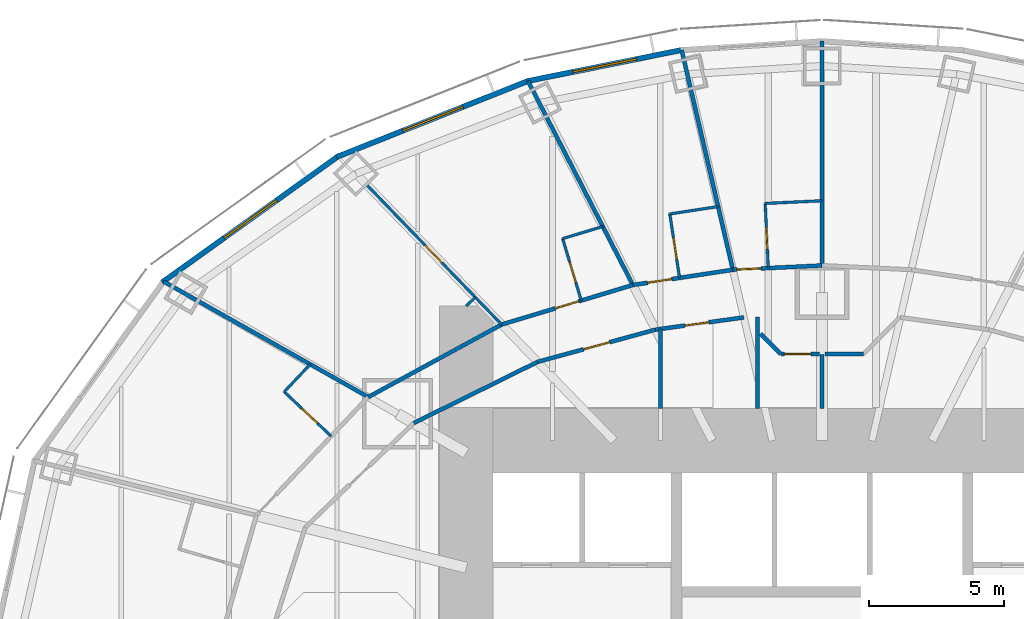
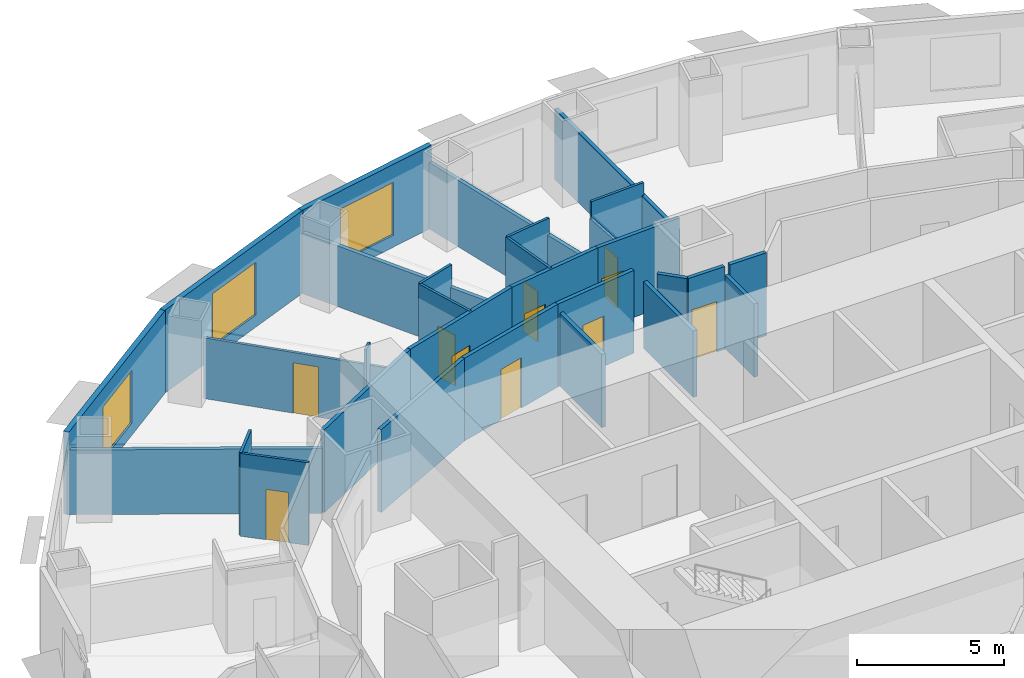
# One storey, part 9 of 15: 30 walls, 11 doors, 3 windows, 14 openings.
"""IFC4 building model written with IfcOpenShell, lengths in metres."""

from ifc_helpers import new_model, si_unit, direction, frame, frame_2d, origin, place, context, subcontext, project, spatial, rectangle, extrude, material, layer, layer_set, type_object, element, fill, save


model = new_model("IFC4")

# Units and contexts
model_context = context("Model", 3, precision=1e-05, world=origin(), true_north=direction((0.0, 1.0)))
body_context = subcontext(model_context, "Body", "Model", "MODEL_VIEW")
ifc_project = project(units=[si_unit("LENGTHUNIT", "METRE"), si_unit("AREAUNIT", "SQUARE_METRE"), si_unit("VOLUMEUNIT", "CUBIC_METRE"), si_unit("PLANEANGLEUNIT", "RADIAN"), si_unit("MASSUNIT", "GRAM", prefix="KILO")], contexts=[model_context])

# Site, building, storey
site_placement = place(None, origin())
site = spatial("IfcSite", under=ifc_project, at=site_placement, CompositionType="ELEMENT")
building_placement = place(site_placement, origin())
building = spatial("IfcBuilding", under=site, at=building_placement, Name="Lantaw Convention Tower", CompositionType="ELEMENT")
storey_placement = place(building_placement, frame((0.0, 0.0, 44.199951171875)))
storey = spatial("IfcBuildingStorey", under=building, at=storey_placement, Name="L08", CompositionType="ELEMENT", Elevation=44.199951171875)

# Walls
ifc_material_1 = material(Name="Gypsum board on steel studs", Category="steel")
ifc_layer_1 = layer(ifc_material_1, 0.14990234375)
ifc_layer_set_1 = layer_set([ifc_layer_1], Name="Back of house wall 150")
wall_type_1 = type_object("IfcWallType", Name="Back of house wall 150", PredefinedType="PARTITIONING", material=ifc_layer_set_1)
wall_1_placement = place(storey_placement, frame((0.0, 9.199951171875, 0.0), z_axis=(0.0, 0.0, 1.0), x_axis=(0.0, 1.0, 0.0)))
element("IfcWall", 1, at=wall_1_placement, inside=storey, type_object=wall_type_1, Name="Back of house wall 150", PredefinedType="PARTITIONING", context=body_context, shape_type="SweptSolid", body=[
    extrude(rectangle(XDim=2.005126953125, YDim=0.14990234375, at=frame_2d((1.00244140625, 0.0))), origin(), (0.0, 0.0, 1.0), 3.043701171875),
])
wall_2_placement = place(storey_placement, frame((-1.5322265625, 11.215087890625, 0.0), z_axis=(0.0, 0.0, 1.0), x_axis=(-0.707106781187, 0.707106781187, 0.0)))
element("IfcWall", 2, at=wall_2_placement, inside=storey, type_object=wall_type_1, Name="Back of house wall 150", PredefinedType="PARTITIONING", context=body_context, shape_type="SweptSolid", body=[
    extrude(rectangle(XDim=1.064453125, YDim=0.14990234375, at=frame_2d((0.5322265625, 0.0))), origin(), (0.0, 0.0, 1.0), 3.449951171875),
])

# Wall, opening, door
ifc_material_2 = material(Name="Moisture resistant gypsum board on steel studs", Category="steel")
ifc_layer_2 = layer(ifc_material_2, 0.10009765625)
ifc_layer_set_2 = layer_set([ifc_layer_2], Name="Bathroom wall 100")
wall_type_2 = type_object("IfcWallType", Name="Bathroom wall 100", PredefinedType="PARTITIONING", material=ifc_layer_set_2)
wall_3_placement = place(storey_placement, frame((-1.997802734375, 14.40478515625, 0.0), z_axis=(0.0, 0.0, 1.0), x_axis=(-0.047608648396, 0.998866065395, 0.0)))
wall_3 = element("IfcWall", 3, at=wall_3_placement, inside=storey, type_object=wall_type_2, Name="Bathroom wall 100", PredefinedType="PARTITIONING", context=body_context, shape_type="SweptSolid", body=[
    extrude(rectangle(XDim=2.39990234375, YDim=0.10009765625, at=frame_2d((1.199951171875, 0.0))), origin(), (0.0, 0.0, 1.0), 2.7490234375),
])
opening_1_placement = place(wall_3_placement, frame((0.699951171875, 0.0, 0.0)))
opening_1 = element("IfcOpeningElement", 4, at=opening_1_placement, cuts=wall_3, Name="Opening L08.32", PredefinedType="OPENING", context=body_context, shape_type="SweptSolid", body=[
    extrude(rectangle(XDim=0.800048828125, YDim=2.10009765625, at=frame_2d((0.39990234375, 1.050048828125))), frame((0.0, 0.06005859375, 0.0), z_axis=(0.0, -1.0, 0.0), x_axis=(1.0, 0.0, 0.0)), (0.0, 0.0, 1.0), 0.1201171875),
])
ifc_material_3 = material(Name="Timber", Category="wood")
door_type_1 = type_object("IfcDoorType", Name="Bathroom door 800", OperationType="SINGLE_SWING_LEFT", PredefinedType="DOOR", material=ifc_material_3)
door_1_placement = place(opening_1_placement, origin())
door_1 = element("IfcDoor", 5, at=door_1_placement, inside=storey, type_object=door_type_1, Name="Bathroom door", OperationType="SINGLE_SWING_LEFT", OverallHeight=2.10009765625, OverallWidth=0.800048828125, PredefinedType="DOOR", context=body_context, shape_type="SweptSolid", body=[
    extrude(rectangle(XDim=0.800048828125, YDim=2.10009765625, at=frame_2d((0.39990234375, 1.050048828125))), frame((0.0, 0.02490234375, 0.0), z_axis=(0.0, -1.0, 0.0), x_axis=(1.0, 0.0, 0.0)), (0.0, 0.0, 1.0), 0.050048828125),
])
fill(opening_1, door_1)

# Wall
wall_4_placement = place(storey_placement, frame((-2.112060546875, 16.802001953125, 0.0), z_axis=(0.0, 0.0, 1.0), x_axis=(0.998862383453, 0.047685835668, 0.0)))
element("IfcWall", 6, at=wall_4_placement, inside=storey, type_object=wall_type_2, Name="Bathroom wall 100", PredefinedType="PARTITIONING", context=body_context, shape_type="SweptSolid", body=[
    extrude(rectangle(XDim=2.114501953125, YDim=0.10009765625, at=frame_2d((1.05712890625, 0.0))), origin(), (0.0, 0.0, 1.0), 3.449951171875),
])

# Wall, opening, door
wall_5_placement = place(storey_placement, frame((-5.288330078125, 14.04052734375, 0.0), z_axis=(0.0, 0.0, 1.0), x_axis=(-0.150757550564, 0.988570766788, 0.0)))
wall_5 = element("IfcWall", 7, at=wall_5_placement, inside=storey, type_object=wall_type_2, Name="Bathroom wall 100", PredefinedType="PARTITIONING", context=body_context, shape_type="SweptSolid", body=[
    extrude(rectangle(XDim=2.39990234375, YDim=0.10009765625, at=frame_2d((1.199951171875, 0.0))), origin(), (0.0, 0.0, 1.0), 3.449951171875),
])
opening_2_placement = place(wall_5_placement, frame((0.699951171875, 0.0, 0.0)))
opening_2 = element("IfcOpeningElement", 8, at=opening_2_placement, cuts=wall_5, Name="Opening L08.34", PredefinedType="OPENING", context=body_context, shape_type="SweptSolid", body=[
    extrude(rectangle(XDim=0.800048828125, YDim=2.10009765625, at=frame_2d((0.39990234375, 1.050048828125))), frame((0.0, 0.06005859375, 0.0), z_axis=(0.0, -1.0, 0.0), x_axis=(1.0, 0.0, 0.0)), (0.0, 0.0, 1.0), 0.1201171875),
])
door_2_placement = place(opening_2_placement, origin())
door_2 = element("IfcDoor", 9, at=door_2_placement, inside=storey, type_object=door_type_1, Name="Bathroom door", OperationType="SINGLE_SWING_LEFT", OverallHeight=2.10009765625, OverallWidth=0.800048828125, PredefinedType="DOOR", context=body_context, shape_type="SweptSolid", body=[
    extrude(rectangle(XDim=0.800048828125, YDim=2.10009765625, at=frame_2d((0.39990234375, 1.050048828125))), frame((0.0, 0.02490234375, 0.0), z_axis=(0.0, -1.0, 0.0), x_axis=(1.0, 0.0, 0.0)), (0.0, 0.0, 1.0), 0.050048828125),
])
fill(opening_2, door_2)

# Wall
wall_6_placement = place(storey_placement, frame((-5.650146484375, 16.4130859375, 0.0), z_axis=(0.0, 0.0, 1.0), x_axis=(0.988567991054, 0.150775750911, 0.0)))
element("IfcWall", 10, at=wall_6_placement, inside=storey, type_object=wall_type_2, Name="Bathroom wall 100", PredefinedType="PARTITIONING", context=body_context, shape_type="SweptSolid", body=[
    extrude(rectangle(XDim=1.818359375, YDim=0.10009765625, at=frame_2d((0.9091796875, 0.0))), origin(), (0.0, 0.0, 1.0), 3.449951171875),
])

# Wall, opening, door
wall_7_placement = place(storey_placement, frame((-8.9345703125, 13.199951171875, 0.0), z_axis=(0.0, 0.0, 1.0), x_axis=(-0.288197066254, 0.957571120598, 0.0)))
wall_7 = element("IfcWall", 11, at=wall_7_placement, inside=storey, type_object=wall_type_2, Name="Bathroom wall 100", PredefinedType="PARTITIONING", context=body_context, shape_type="SweptSolid", body=[
    extrude(rectangle(XDim=2.39990234375, YDim=0.10009765625, at=frame_2d((1.199951171875, 0.0))), origin(), (0.0, 0.0, 1.0), 3.449951171875),
])
opening_3_placement = place(wall_7_placement, frame((0.699951171875, 0.0, 0.0)))
opening_3 = element("IfcOpeningElement", 12, at=opening_3_placement, cuts=wall_7, Name="Opening L08.36", PredefinedType="OPENING", context=body_context, shape_type="SweptSolid", body=[
    extrude(rectangle(XDim=0.800048828125, YDim=2.10009765625, at=frame_2d((0.39990234375, 1.050048828125))), frame((0.0, 0.06005859375, 0.0), z_axis=(0.0, -1.0, 0.0), x_axis=(1.0, 0.0, 0.0)), (0.0, 0.0, 1.0), 0.1201171875),
])
door_3_placement = place(opening_3_placement, origin())
door_3 = element("IfcDoor", 13, at=door_3_placement, inside=storey, type_object=door_type_1, Name="Bathroom door", OperationType="SINGLE_SWING_LEFT", OverallHeight=2.10009765625, OverallWidth=0.800048828125, PredefinedType="DOOR", context=body_context, shape_type="SweptSolid", body=[
    extrude(rectangle(XDim=0.800048828125, YDim=2.10009765625, at=frame_2d((0.39990234375, 1.050048828125))), frame((0.0, 0.02490234375, 0.0), z_axis=(0.0, -1.0, 0.0), x_axis=(1.0, 0.0, 0.0)), (0.0, 0.0, 1.0), 0.050048828125),
])
fill(opening_3, door_3)

# Wall
wall_8_placement = place(storey_placement, frame((-9.626220703125, 15.498046875, 0.0), z_axis=(0.0, 0.0, 1.0), x_axis=(0.957551231109, 0.288263143328, 0.0)))
element("IfcWall", 14, at=wall_8_placement, inside=storey, type_object=wall_type_2, Name="Bathroom wall 100", PredefinedType="PARTITIONING", context=body_context, shape_type="SweptSolid", body=[
    extrude(rectangle(XDim=1.56591796875, YDim=0.10009765625, at=frame_2d((0.782958984375, 0.0))), origin(), (0.0, 0.0, 1.0), 3.449951171875),
])

# Wall, opening, door
wall_9_placement = place(storey_placement, frame((-18.209228515625, 8.166748046875, 0.0), z_axis=(0.0, 0.0, 1.0), x_axis=(-0.726567238928, 0.687095369885, 0.0)))
wall_9 = element("IfcWall", 15, at=wall_9_placement, inside=storey, type_object=wall_type_2, Name="Bathroom wall 100", PredefinedType="PARTITIONING", context=body_context, shape_type="SweptSolid", body=[
    extrude(rectangle(XDim=2.39990234375, YDim=0.10009765625, at=frame_2d((1.199951171875, 0.0))), origin(), (0.0, 0.0, 1.0), 3.449951171875),
])
opening_4_placement = place(wall_9_placement, frame((0.699951171875, 0.0, 0.0)))
opening_4 = element("IfcOpeningElement", 16, at=opening_4_placement, cuts=wall_9, Name="Opening L08.39", PredefinedType="OPENING", context=body_context, shape_type="SweptSolid", body=[
    extrude(rectangle(XDim=0.800048828125, YDim=2.10009765625, at=frame_2d((0.39990234375, 1.050048828125))), frame((0.0, 0.06005859375, 0.0), z_axis=(0.0, -1.0, 0.0), x_axis=(1.0, 0.0, 0.0)), (0.0, 0.0, 1.0), 0.1201171875),
])
door_4_placement = place(opening_4_placement, origin())
door_4 = element("IfcDoor", 17, at=door_4_placement, inside=storey, type_object=door_type_1, Name="Bathroom door", OperationType="SINGLE_SWING_LEFT", OverallHeight=2.10009765625, OverallWidth=0.800048828125, PredefinedType="DOOR", context=body_context, shape_type="SweptSolid", body=[
    extrude(rectangle(XDim=0.800048828125, YDim=2.10009765625, at=frame_2d((0.39990234375, 1.050048828125))), frame((0.0, 0.02490234375, 0.0), z_axis=(0.0, -1.0, 0.0), x_axis=(1.0, 0.0, 0.0)), (0.0, 0.0, 1.0), 0.050048828125),
])
fill(opening_4, door_4)

# Wall
wall_10_placement = place(storey_placement, frame((-19.952880859375, 9.815673828125, 0.0), z_axis=(0.0, 0.0, 1.0), x_axis=(0.687017997787, 0.726640399866, 0.0)))
element("IfcWall", 18, at=wall_10_placement, inside=storey, type_object=wall_type_2, Name="Bathroom wall 100", PredefinedType="PARTITIONING", context=body_context, shape_type="SweptSolid", body=[
    extrude(rectangle(XDim=1.417236328125, YDim=0.10009765625, at=frame_2d((0.70849609375, 0.0))), origin(), (0.0, 0.0, 1.0), 3.449951171875),
])

# Wall, opening, door
ifc_material_4 = material(Name="Gypsum board on steel studs, fire rated", Category="steel")
ifc_layer_3 = layer(ifc_material_4, 0.14990234375)
ifc_layer_set_3 = layer_set([ifc_layer_3], Name="Corridor wall 150 EI 60")
wall_type_3 = type_object("IfcWallType", Name="Corridor wall 150 EI 60", PredefinedType="PARTITIONING", material=ifc_layer_set_3)
wall_11_placement = place(storey_placement, frame((0.0, 14.5, 0.0), z_axis=(0.0, 0.0, 1.0), x_axis=(-0.998863968075, -0.047652631422, 0.0)))
wall_11 = element("IfcWall", 19, at=wall_11_placement, inside=storey, type_object=wall_type_3, Name="Corridor wall 150", PredefinedType="PARTITIONING", context=body_context, shape_type="SweptSolid", body=[
    extrude(rectangle(XDim=3.314697265625, YDim=0.14990234375, at=frame_2d((1.6572265625, 0.0))), origin(), (0.0, 0.0, 1.0), 3.449951171875),
])
opening_5_placement = place(wall_11_placement, frame((2.264892578125, 0.0, 0.0)))
opening_5 = element("IfcOpeningElement", 20, at=opening_5_placement, cuts=wall_11, Name="Opening L08.33", PredefinedType="OPENING", context=body_context, shape_type="SweptSolid", body=[
    extrude(rectangle(XDim=0.89990234375, YDim=2.10009765625, at=frame_2d((0.449951171875, 1.050048828125))), frame((0.0, 0.0849609375, 0.0), z_axis=(0.0, -1.0, 0.0), x_axis=(1.0, 0.0, 0.0)), (0.0, 0.0, 1.0), 0.169921875),
])
ifc_material_5 = material(Name="Steel, fire rated", Category="steel")
door_type_2 = type_object("IfcDoorType", Name="Guest room entrance door FD30S", OperationType="SINGLE_SWING_LEFT", PredefinedType="DOOR", material=ifc_material_5)
door_5_placement = place(opening_5_placement, origin())
door_5 = element("IfcDoor", 21, at=door_5_placement, inside=storey, type_object=door_type_2, Name="Guest room entrance door", OperationType="SINGLE_SWING_LEFT", OverallHeight=2.10009765625, OverallWidth=0.89990234375, PredefinedType="DOOR", context=body_context, shape_type="SweptSolid", body=[
    extrude(rectangle(XDim=0.89990234375, YDim=2.10009765625, at=frame_2d((0.449951171875, 1.050048828125))), frame((0.0, 0.02490234375, 0.0), z_axis=(0.0, -1.0, 0.0), x_axis=(1.0, 0.0, 0.0)), (0.0, 0.0, 1.0), 0.050048828125),
])
fill(opening_5, door_5)

wall_12_placement = place(storey_placement, frame((-3.31103515625, 14.342041015625, 0.0), z_axis=(0.0, 0.0, 1.0), x_axis=(-0.988564270062, -0.150800145746, 0.0)))
wall_12 = element("IfcWall", 22, at=wall_12_placement, inside=storey, type_object=wall_type_3, Name="Corridor wall 150", PredefinedType="PARTITIONING", context=body_context, shape_type="SweptSolid", body=[
    extrude(rectangle(XDim=3.751220703125, YDim=0.14990234375, at=frame_2d((1.87548828125, 0.0))), origin(), (0.0, 0.0, 1.0), 3.449951171875),
])
opening_6_placement = place(wall_12_placement, frame((2.30029296875, 0.0, 0.0)))
opening_6 = element("IfcOpeningElement", 23, at=opening_6_placement, cuts=wall_12, Name="Opening L08.35", PredefinedType="OPENING", context=body_context, shape_type="SweptSolid", body=[
    extrude(rectangle(XDim=0.89990234375, YDim=2.10009765625, at=frame_2d((0.449951171875, 1.050048828125))), frame((0.0, 0.0849609375, 0.0), z_axis=(0.0, -1.0, 0.0), x_axis=(1.0, 0.0, 0.0)), (0.0, 0.0, 1.0), 0.169921875),
])
door_6_placement = place(opening_6_placement, origin())
door_6 = element("IfcDoor", 24, at=door_6_placement, inside=storey, type_object=door_type_2, Name="Guest room entrance door", OperationType="SINGLE_SWING_LEFT", OverallHeight=2.10009765625, OverallWidth=0.89990234375, PredefinedType="DOOR", context=body_context, shape_type="SweptSolid", body=[
    extrude(rectangle(XDim=0.89990234375, YDim=2.10009765625, at=frame_2d((0.449951171875, 1.050048828125))), frame((0.0, 0.02490234375, 0.0), z_axis=(0.0, -1.0, 0.0), x_axis=(1.0, 0.0, 0.0)), (0.0, 0.0, 1.0), 0.050048828125),
])
fill(opening_6, door_6)

wall_13_placement = place(storey_placement, frame((-7.019287109375, 13.7763671875, 0.0), z_axis=(0.0, 0.0, 1.0), x_axis=(-0.957564241242, -0.288219922793, 0.0)))
wall_13 = element("IfcWall", 25, at=wall_13_placement, inside=storey, type_object=wall_type_3, Name="Corridor wall 150", PredefinedType="PARTITIONING", context=body_context, shape_type="SweptSolid", body=[
    extrude(rectangle(XDim=5.0849609375, YDim=0.14990234375, at=frame_2d((2.54248046875, 0.0))), origin(), (0.0, 0.0, 1.0), 3.449951171875),
])
opening_7_placement = place(wall_13_placement, frame((2.10009765625, 0.0, 0.0)))
opening_7 = element("IfcOpeningElement", 26, at=opening_7_placement, cuts=wall_13, Name="Opening L08.38", PredefinedType="OPENING", context=body_context, shape_type="SweptSolid", body=[
    extrude(rectangle(XDim=0.89990234375, YDim=2.10009765625, at=frame_2d((0.449951171875, 1.050048828125))), frame((0.0, 0.0849609375, 0.0), z_axis=(0.0, -1.0, 0.0), x_axis=(1.0, 0.0, 0.0)), (0.0, 0.0, 1.0), 0.169921875),
])
door_7_placement = place(opening_7_placement, origin())
door_7 = element("IfcDoor", 27, at=door_7_placement, inside=storey, type_object=door_type_2, Name="Suite entrance door", OperationType="SINGLE_SWING_LEFT", OverallHeight=2.10009765625, OverallWidth=0.89990234375, PredefinedType="DOOR", context=body_context, shape_type="SweptSolid", body=[
    extrude(rectangle(XDim=0.89990234375, YDim=2.10009765625, at=frame_2d((0.449951171875, 1.050048828125))), frame((0.0, 0.02490234375, 0.0), z_axis=(0.0, -1.0, 0.0), x_axis=(1.0, 0.0, 0.0)), (0.0, 0.0, 1.0), 0.050048828125),
])
fill(opening_7, door_7)

# Wall
wall_14_placement = place(storey_placement, frame((-11.888427734375, 12.310791015625, 0.0), z_axis=(0.0, 0.0, 1.0), x_axis=(-0.878450059298, -0.477834169267, 0.0)))
element("IfcWall", 28, at=wall_14_placement, inside=storey, type_object=wall_type_3, Name="Corridor wall 150", PredefinedType="PARTITIONING", context=body_context, shape_type="SweptSolid", body=[
    extrude(rectangle(XDim=5.630859375, YDim=0.14990234375, at=frame_2d((2.8154296875, 0.0))), origin(), (0.0, 0.0, 1.0), 3.449951171875),
])

# Wall, opening, door
wall_15_placement = place(storey_placement, frame((-2.903076171875, 12.574462890625, 0.0), z_axis=(0.0, 0.0, 1.0), x_axis=(-0.990563451353, -0.137054911782, 0.0)))
wall_15 = element("IfcWall", 29, at=wall_15_placement, inside=storey, type_object=wall_type_3, Name="Corridor wall 150", PredefinedType="PARTITIONING", context=body_context, shape_type="SweptSolid", body=[
    extrude(rectangle(XDim=3.304443359375, YDim=0.14990234375, at=frame_2d((1.65234375, 0.0))), origin(), (0.0, 0.0, 1.0), 3.449951171875),
])
opening_8_placement = place(wall_15_placement, frame((1.308349609375, 0.0, 0.0)))
opening_8 = element("IfcOpeningElement", 30, at=opening_8_placement, cuts=wall_15, Name="Opening L08.19", PredefinedType="OPENING", context=body_context, shape_type="SweptSolid", body=[
    extrude(rectangle(XDim=0.89990234375, YDim=2.10009765625, at=frame_2d((0.449951171875, 1.050048828125))), frame((0.0, 0.0849609375, 0.0), z_axis=(0.0, -1.0, 0.0), x_axis=(1.0, 0.0, 0.0)), (0.0, 0.0, 1.0), 0.169921875),
])
door_type_3 = type_object("IfcDoorType", Name="Service door 900 FD30", OperationType="SINGLE_SWING_LEFT", PredefinedType="DOOR", material=ifc_material_5)
door_8_placement = place(opening_8_placement, origin())
door_8 = element("IfcDoor", 31, at=door_8_placement, inside=storey, type_object=door_type_3, Name="Housekeeping pantry door", OperationType="SINGLE_SWING_LEFT", OverallHeight=2.10009765625, OverallWidth=0.89990234375, PredefinedType="DOOR", context=body_context, shape_type="SweptSolid", body=[
    extrude(rectangle(XDim=0.89990234375, YDim=2.10009765625, at=frame_2d((0.449951171875, 1.050048828125))), frame((0.0, 0.02490234375, 0.0), z_axis=(0.0, -1.0, 0.0), x_axis=(1.0, 0.0, 0.0)), (0.0, 0.0, 1.0), 0.050048828125),
])
fill(opening_8, door_8)

wall_16_placement = place(storey_placement, frame((-6.17626953125, 12.12158203125, 0.0), z_axis=(0.0, 0.0, 1.0), x_axis=(-0.964644466646, -0.263554648923, 0.0)))
wall_16 = element("IfcWall", 32, at=wall_16_placement, inside=storey, type_object=wall_type_3, Name="Corridor wall 150", PredefinedType="PARTITIONING", context=body_context, shape_type="SweptSolid", body=[
    extrude(rectangle(XDim=4.535400390625, YDim=0.14990234375, at=frame_2d((2.267578125, 0.0))), origin(), (0.0, 0.0, 1.0), 3.449951171875),
])
opening_9_placement = place(wall_16_placement, frame((1.767578125, 0.0, 0.0)))
opening_9 = element("IfcOpeningElement", 33, at=opening_9_placement, cuts=wall_16, Name="Opening L08.20", PredefinedType="OPENING", context=body_context, shape_type="SweptSolid", body=[
    extrude(rectangle(XDim=1.0, YDim=2.10009765625, at=frame_2d((0.5, 1.050048828125))), frame((0.0, 0.0849609375, 0.0), z_axis=(0.0, -1.0, 0.0), x_axis=(1.0, 0.0, 0.0)), (0.0, 0.0, 1.0), 0.169921875),
])
door_type_4 = type_object("IfcDoorType", Name="Service door 1000 FD30", OperationType="SINGLE_SWING_LEFT", PredefinedType="DOOR", material=ifc_material_5)
door_9_placement = place(opening_9_placement, origin())
door_9 = element("IfcDoor", 34, at=door_9_placement, inside=storey, type_object=door_type_4, Name="Housekeeping room door", OperationType="SINGLE_SWING_LEFT", OverallHeight=2.10009765625, OverallWidth=1.0, PredefinedType="DOOR", context=body_context, shape_type="SweptSolid", body=[
    extrude(rectangle(XDim=1.0, YDim=2.10009765625, at=frame_2d((0.5, 1.050048828125))), frame((0.0, 0.02490234375, 0.0), z_axis=(0.0, -1.0, 0.0), x_axis=(1.0, 0.0, 0.0)), (0.0, 0.0, 1.0), 0.050048828125),
])
fill(opening_9, door_9)

# Walls
wall_17_placement = place(storey_placement, frame((-10.55126953125, 10.92626953125, 0.0), z_axis=(0.0, 0.0, 1.0), x_axis=(-0.89656943448, -0.442903205177, 0.0)))
element("IfcWall", 35, at=wall_17_placement, inside=storey, type_object=wall_type_3, Name="Corridor wall 150", PredefinedType="PARTITIONING", context=body_context, shape_type="SweptSolid", body=[
    extrude(rectangle(XDim=5.12646484375, YDim=0.14990234375, at=frame_2d((2.563232421875, 0.0))), origin(), (0.0, 0.0, 1.0), 3.449951171875),
])
wall_18_placement = place(storey_placement, frame((1.5322265625, 11.215087890625, 0.0), z_axis=(0.0, 0.0, 1.0), x_axis=(-1.0, 0.0, 0.0)))
element("IfcWall", 36, at=wall_18_placement, inside=storey, type_object=wall_type_3, Name="Corridor wall 150", PredefinedType="PARTITIONING", context=body_context, shape_type="SweptSolid", body=[
    extrude(rectangle(XDim=1.428955078125, YDim=0.14990234375, at=frame_2d((0.71435546875, 0.0))), origin(), (0.0, 0.0, 1.0), 3.449951171875),
])

# Wall, opening, door
wall_19_placement = place(storey_placement, frame((-0.103271484375, 11.215087890625, 0.0), z_axis=(0.0, 0.0, 1.0), x_axis=(-1.0, 0.0, 0.0)))
wall_19 = element("IfcWall", 37, at=wall_19_placement, inside=storey, type_object=wall_type_3, Name="Corridor wall 150", PredefinedType="PARTITIONING", context=body_context, shape_type="SweptSolid", body=[
    extrude(rectangle(XDim=1.428955078125, YDim=0.14990234375, at=frame_2d((0.71435546875, 0.0))), origin(), (0.0, 0.0, 1.0), 3.449951171875),
])
opening_10_placement = place(wall_19_placement, frame((0.300048828125, 0.0, 0.0)))
opening_10 = element("IfcOpeningElement", 38, at=opening_10_placement, cuts=wall_19, Name="Opening L08.18", PredefinedType="OPENING", context=body_context, shape_type="SweptSolid", body=[
    extrude(rectangle(XDim=1.0, YDim=2.10009765625, at=frame_2d((0.5, 1.050048828125))), frame((0.0, 0.0849609375, 0.0), z_axis=(0.0, -1.0, 0.0), x_axis=(1.0, 0.0, 0.0)), (0.0, 0.0, 1.0), 0.169921875),
])
door_type_5 = type_object("IfcDoorType", Name="Accessible WC door 1000 FD30", OperationType="SINGLE_SWING_LEFT", PredefinedType="DOOR", material=ifc_material_5)
door_10_placement = place(opening_10_placement, origin())
door_10 = element("IfcDoor", 39, at=door_10_placement, inside=storey, type_object=door_type_5, Name="Accessible WC door", OperationType="SINGLE_SWING_LEFT", OverallHeight=2.10009765625, OverallWidth=1.0, PredefinedType="DOOR", context=body_context, shape_type="SweptSolid", body=[
    extrude(rectangle(XDim=1.0, YDim=2.10009765625, at=frame_2d((0.5, 1.050048828125))), frame((0.0, 0.02490234375, 0.0), z_axis=(0.0, -1.0, 0.0), x_axis=(1.0, 0.0, 0.0)), (0.0, 0.0, 1.0), 0.050048828125),
])
fill(opening_10, door_10)

# Wall, opening, window
ifc_material_6 = material(Name="Insulated aluminium panel on steel frame", Category="steel")
ifc_layer_4 = layer(ifc_material_6, 0.199951171875)
ifc_layer_set_4 = layer_set([ifc_layer_4], Name="External wall 200")
wall_type_4 = type_object("IfcWallType", Name="External wall 200", PredefinedType="SOLIDWALL", material=ifc_layer_set_4)
wall_20_placement = place(storey_placement, frame((-5.169677734375, 22.504150390625, 0.0), z_axis=(0.0, 0.0, 1.0), x_axis=(-0.980251657452, -0.197754110105, 0.0)))
wall_20 = element("IfcWall", 40, at=wall_20_placement, inside=storey, type_object=wall_type_4, Name="Facade panel wall", PredefinedType="SOLIDWALL", context=body_context, shape_type="SweptSolid", body=[
    extrude(rectangle(XDim=5.90380859375, YDim=0.199951171875, at=frame_2d((2.951904296875, 0.0))), origin(), (0.0, 0.0, 1.0), 3.449951171875),
])
opening_11_placement = place(wall_20_placement, frame((1.751708984375, 0.0, 0.5)))
opening_11 = element("IfcOpeningElement", 41, at=opening_11_placement, cuts=wall_20, Name="Opening W1", PredefinedType="OPENING", context=body_context, shape_type="SweptSolid", body=[
    extrude(rectangle(XDim=2.39990234375, YDim=2.199951171875, at=frame_2d((1.199951171875, 1.10009765625))), frame((0.0, 0.10986328125, 0.0), z_axis=(0.0, -1.0, 0.0), x_axis=(1.0, 0.0, 0.0)), (0.0, 0.0, 1.0), 0.219970703125),
])
ifc_material_7 = material(Name="Aluminium frame, clear insulating glass", Category="aluminium")
window_type = type_object("IfcWindowType", Name="Guest room window 2400x2200", PartitioningType="SINGLE_PANEL", PredefinedType="WINDOW", material=ifc_material_7)
window_1_placement = place(opening_11_placement, origin())
window_1 = element("IfcWindow", 42, at=window_1_placement, inside=storey, type_object=window_type, Name="Guest room window", OverallHeight=2.199951171875, OverallWidth=2.39990234375, PartitioningType="SINGLE_PANEL", PredefinedType="WINDOW", context=body_context, shape_type="SweptSolid", body=[
    extrude(rectangle(XDim=2.39990234375, YDim=2.199951171875, at=frame_2d((1.199951171875, 1.10009765625))), frame((0.0, 0.030029296875, 0.0), z_axis=(0.0, -1.0, 0.0), x_axis=(1.0, 0.0, 0.0)), (0.0, 0.0, 1.0), 0.06005859375),
])
fill(opening_11, window_1)

wall_21_placement = place(storey_placement, frame((-10.869384765625, 21.362548828125, 0.0), z_axis=(0.0, 0.0, 1.0), x_axis=(-0.929358351251, -0.369178892895, 0.0)))
wall_21 = element("IfcWall", 43, at=wall_21_placement, inside=storey, type_object=wall_type_4, Name="Facade panel wall", PredefinedType="SOLIDWALL", context=body_context, shape_type="SweptSolid", body=[
    extrude(rectangle(XDim=7.6923828125, YDim=0.199951171875, at=frame_2d((3.84619140625, 0.0))), origin(), (0.0, 0.0, 1.0), 3.449951171875),
])
opening_12_placement = place(wall_21_placement, frame((2.64599609375, 0.0, 0.5)))
opening_12 = element("IfcOpeningElement", 44, at=opening_12_placement, cuts=wall_21, Name="Opening W1", PredefinedType="OPENING", context=body_context, shape_type="SweptSolid", body=[
    extrude(rectangle(XDim=2.39990234375, YDim=2.199951171875, at=frame_2d((1.199951171875, 1.10009765625))), frame((0.0, 0.10986328125, 0.0), z_axis=(0.0, -1.0, 0.0), x_axis=(1.0, 0.0, 0.0)), (0.0, 0.0, 1.0), 0.219970703125),
])
window_2_placement = place(opening_12_placement, origin())
window_2 = element("IfcWindow", 45, at=window_2_placement, inside=storey, type_object=window_type, Name="Guest room window", OverallHeight=2.199951171875, OverallWidth=2.39990234375, PartitioningType="SINGLE_PANEL", PredefinedType="WINDOW", context=body_context, shape_type="SweptSolid", body=[
    extrude(rectangle(XDim=2.39990234375, YDim=2.199951171875, at=frame_2d((1.199951171875, 1.10009765625))), frame((0.0, 0.030029296875, 0.0), z_axis=(0.0, -1.0, 0.0), x_axis=(1.0, 0.0, 0.0)), (0.0, 0.0, 1.0), 0.06005859375),
])
fill(opening_12, window_2)

wall_22_placement = place(storey_placement, frame((-17.9287109375, 18.57177734375, 0.0), z_axis=(0.0, 0.0, 1.0), x_axis=(-0.812791321576, -0.582554948112, 0.0)))
wall_22 = element("IfcWall", 46, at=wall_22_placement, inside=storey, type_object=wall_type_4, Name="Facade panel wall", PredefinedType="SOLIDWALL", context=body_context, shape_type="SweptSolid", body=[
    extrude(rectangle(XDim=8.063232421875, YDim=0.199951171875, at=frame_2d((4.03173828125, 0.0))), origin(), (0.0, 0.0, 1.0), 3.449951171875),
])
opening_13_placement = place(wall_22_placement, frame((2.83154296875, 0.0, 0.5)))
opening_13 = element("IfcOpeningElement", 47, at=opening_13_placement, cuts=wall_22, Name="Opening W1", PredefinedType="OPENING", context=body_context, shape_type="SweptSolid", body=[
    extrude(rectangle(XDim=2.39990234375, YDim=2.199951171875, at=frame_2d((1.199951171875, 1.10009765625))), frame((0.0, 0.10986328125, 0.0), z_axis=(0.0, -1.0, 0.0), x_axis=(1.0, 0.0, 0.0)), (0.0, 0.0, 1.0), 0.219970703125),
])
window_3_placement = place(opening_13_placement, origin())
window_3 = element("IfcWindow", 48, at=window_3_placement, inside=storey, type_object=window_type, Name="Guest room window", OverallHeight=2.199951171875, OverallWidth=2.39990234375, PartitioningType="SINGLE_PANEL", PredefinedType="WINDOW", context=body_context, shape_type="SweptSolid", body=[
    extrude(rectangle(XDim=2.39990234375, YDim=2.199951171875, at=frame_2d((1.199951171875, 1.10009765625))), frame((0.0, 0.030029296875, 0.0), z_axis=(0.0, -1.0, 0.0), x_axis=(1.0, 0.0, 0.0)), (0.0, 0.0, 1.0), 0.06005859375),
])
fill(opening_13, window_3)

# Walls
ifc_material_8 = material(Name="Gypsum board on steel studs, acoustic", Category="steel")
ifc_layer_5 = layer(ifc_material_8, 0.14990234375)
ifc_layer_set_5 = layer_set([ifc_layer_5], Name="Guest room party wall 150")
wall_type_5 = type_object("IfcWallType", Name="Guest room party wall 150", PredefinedType="PARTITIONING", material=ifc_layer_set_5)
wall_23_placement = place(storey_placement, frame((0.0, 22.82470703125, 0.0), z_axis=(0.0, 0.0, 1.0), x_axis=(0.0, -1.0, 0.0)))
element("IfcWall", 49, at=wall_23_placement, inside=storey, type_object=wall_type_5, Name="Guest room party wall 150", PredefinedType="PARTITIONING", context=body_context, shape_type="SweptSolid", body=[
    extrude(rectangle(XDim=8.32470703125, YDim=0.14990234375, at=frame_2d((4.162353515625, 0.0))), origin(), (0.0, 0.0, 1.0), 2.92431640625),
])
wall_24_placement = place(storey_placement, frame((-5.2109375, 22.495849609375, 0.0), z_axis=(0.0, 0.0, 1.0), x_axis=(0.226929086033, -0.973911284416, 0.0)))
element("IfcWall", 50, at=wall_24_placement, inside=storey, type_object=wall_type_5, Name="Guest room party wall 150", PredefinedType="PARTITIONING", context=body_context, shape_type="SweptSolid", body=[
    extrude(rectangle(XDim=8.372314453125, YDim=0.14990234375, at=frame_2d((4.18603515625, 0.0))), origin(), (0.0, 0.0, 1.0), 2.766845703125),
])
wall_25_placement = place(storey_placement, frame((-10.911865234375, 21.345703125, 0.0), z_axis=(0.0, 0.0, 1.0), x_axis=(0.457327273085, -0.889298468059, 0.0)))
element("IfcWall", 51, at=wall_25_placement, inside=storey, type_object=wall_type_5, Name="Guest room party wall 150", PredefinedType="PARTITIONING", context=body_context, shape_type="SweptSolid", body=[
    extrude(rectangle(XDim=8.511474609375, YDim=0.14990234375, at=frame_2d((4.255859375, 0.0))), origin(), (0.0, 0.0, 1.0), 2.528076171875),
])
wall_26_placement = place(storey_placement, frame((-24.434814453125, 13.90869140625, 0.0), z_axis=(0.0, 0.0, 1.0), x_axis=(0.87090601027, -0.491449612143, 0.0)))
element("IfcWall", 52, at=wall_26_placement, inside=storey, type_object=wall_type_5, Name="Guest room party wall 150", PredefinedType="PARTITIONING", context=body_context, shape_type="SweptSolid", body=[
    extrude(rectangle(XDim=8.726318359375, YDim=0.14990234375, at=frame_2d((4.36328125, 0.0))), origin(), (0.0, 0.0, 1.0), 2.693115234375),
])
ifc_layer_6 = layer(ifc_material_8, 0.10009765625)
ifc_layer_set_6 = layer_set([ifc_layer_6], Name="Office partition 100")
wall_type_6 = type_object("IfcWallType", Name="Office partition 100", PredefinedType="PARTITIONING", material=ifc_layer_set_6)
wall_27_placement = place(storey_placement, frame((-13.199951171875, 13.0, 0.0), z_axis=(0.0, 0.0, 1.0), x_axis=(0.719347134512, 0.69465077562, 0.0)))
element("IfcWall", 53, at=wall_27_placement, inside=storey, type_object=wall_type_6, Name="Office partition 100", PredefinedType="PARTITIONING", context=body_context, shape_type="SweptSolid", body=[
    extrude(rectangle(XDim=0.464599609375, YDim=0.10009765625, at=frame_2d((0.232421875, 0.0))), origin(), (0.0, 0.0, 1.0), 3.449951171875),
])

# Wall, opening, door
ifc_layer_7 = layer(ifc_material_1, 0.10009765625)
ifc_layer_set_7 = layer_set([ifc_layer_7], Name="Suite partition 100")
wall_type_7 = type_object("IfcWallType", Name="Suite partition 100", PredefinedType="PARTITIONING", material=ifc_layer_set_7)
wall_28_placement = place(storey_placement, frame((-16.943603515625, 17.54541015625, 0.0), z_axis=(0.0, 0.0, 1.0), x_axis=(0.694669949151, -0.719328618746, 0.0)))
wall_28 = element("IfcWall", 54, at=wall_28_placement, inside=storey, type_object=wall_type_7, Name="Suite partition 100", PredefinedType="PARTITIONING", context=body_context, shape_type="SweptSolid", body=[
    extrude(rectangle(XDim=7.277099609375, YDim=0.10009765625, at=frame_2d((3.638671875, 0.0))), origin(), (0.0, 0.0, 1.0), 2.528076171875),
])
opening_14_placement = place(wall_28_placement, frame((3.188720703125, 0.0, 0.0)))
opening_14 = element("IfcOpeningElement", 55, at=opening_14_placement, cuts=wall_28, Name="Opening L08.37", PredefinedType="OPENING", context=body_context, shape_type="SweptSolid", body=[
    extrude(rectangle(XDim=0.89990234375, YDim=2.10009765625, at=frame_2d((0.449951171875, 1.050048828125))), frame((0.0, 0.06005859375, 0.0), z_axis=(0.0, -1.0, 0.0), x_axis=(1.0, 0.0, 0.0)), (0.0, 0.0, 1.0), 0.1201171875),
])
door_type_6 = type_object("IfcDoorType", Name="Suite door 900", OperationType="SINGLE_SWING_LEFT", PredefinedType="DOOR", material=ifc_material_3)
door_11_placement = place(opening_14_placement, origin())
door_11 = element("IfcDoor", 56, at=door_11_placement, inside=storey, type_object=door_type_6, Name="Bedroom door", OperationType="SINGLE_SWING_LEFT", OverallHeight=2.10009765625, OverallWidth=0.89990234375, PredefinedType="DOOR", context=body_context, shape_type="SweptSolid", body=[
    extrude(rectangle(XDim=0.89990234375, YDim=2.10009765625, at=frame_2d((0.449951171875, 1.050048828125))), frame((0.0, 0.02490234375, 0.0), z_axis=(0.0, -1.0, 0.0), x_axis=(1.0, 0.0, 0.0)), (0.0, 0.0, 1.0), 0.050048828125),
])
fill(opening_14, door_11)

# Walls
ifc_material_9 = material(Name="Concrete blockwork", Category="masonry")
ifc_layer_8 = layer(ifc_material_9, 0.14990234375)
ifc_layer_set_8 = layer_set([ifc_layer_8], Name="WC wall 150")
wall_type_8 = type_object("IfcWallType", Name="WC wall 150", PredefinedType="SOLIDWALL", material=ifc_layer_set_8)
wall_29_placement = place(storey_placement, frame((-2.39990234375, 9.199951171875, 0.0), z_axis=(0.0, 0.0, 1.0), x_axis=(0.0, 1.0, 0.0)))
element("IfcWall", 57, at=wall_29_placement, inside=storey, type_object=wall_type_8, Name="WC wall 150", PredefinedType="SOLIDWALL", context=body_context, shape_type="SweptSolid", body=[
    extrude(rectangle(XDim=3.396240234375, YDim=0.14990234375, at=frame_2d((1.6982421875, 0.0))), origin(), (0.0, 0.0, 1.0), 2.766845703125),
])
wall_30_placement = place(storey_placement, frame((-6.0, 9.199951171875, 0.0), z_axis=(0.0, 0.0, 1.0), x_axis=(0.0, 1.0, 0.0)))
element("IfcWall", 58, at=wall_30_placement, inside=storey, type_object=wall_type_8, Name="WC wall 150", PredefinedType="SOLIDWALL", context=body_context, shape_type="SweptSolid", body=[
    extrude(rectangle(XDim=2.946044921875, YDim=0.14990234375, at=frame_2d((1.47314453125, 0.0))), origin(), (0.0, 0.0, 1.0), 3.046142578125),
])

save(model, "model.ifc")
